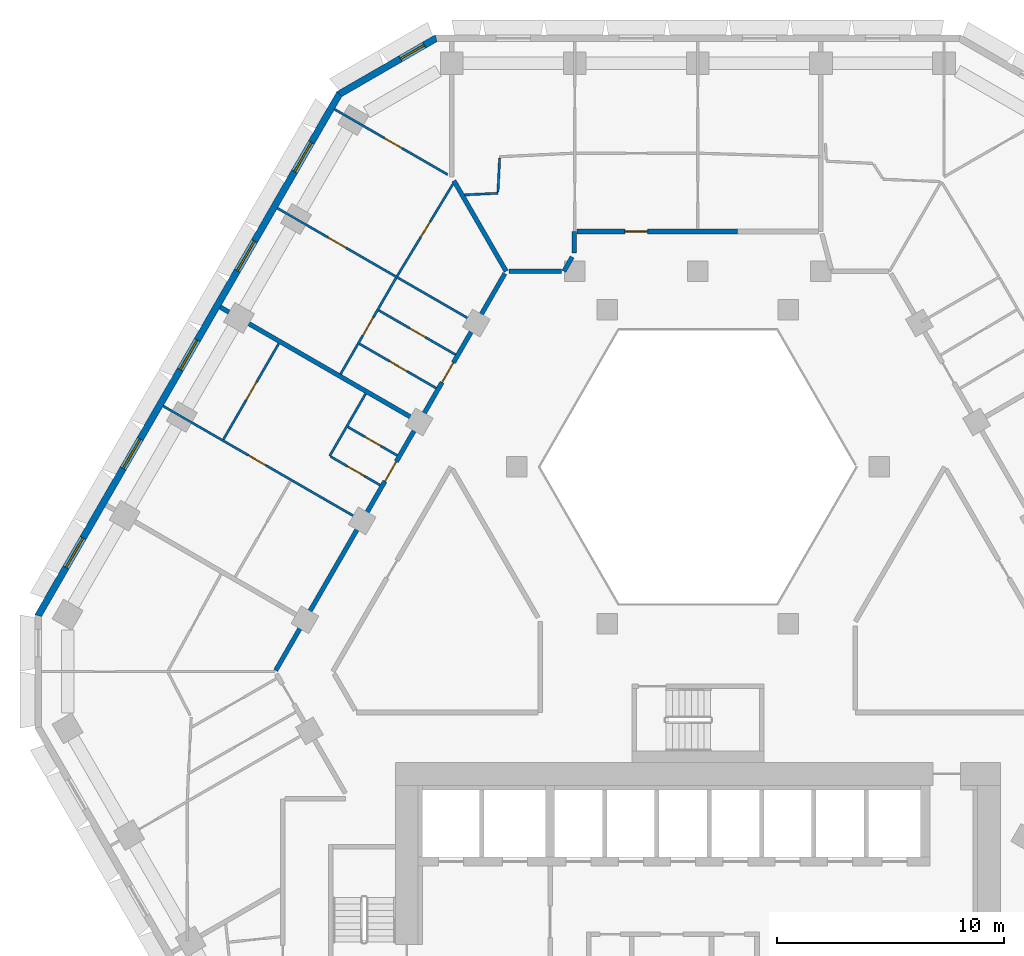
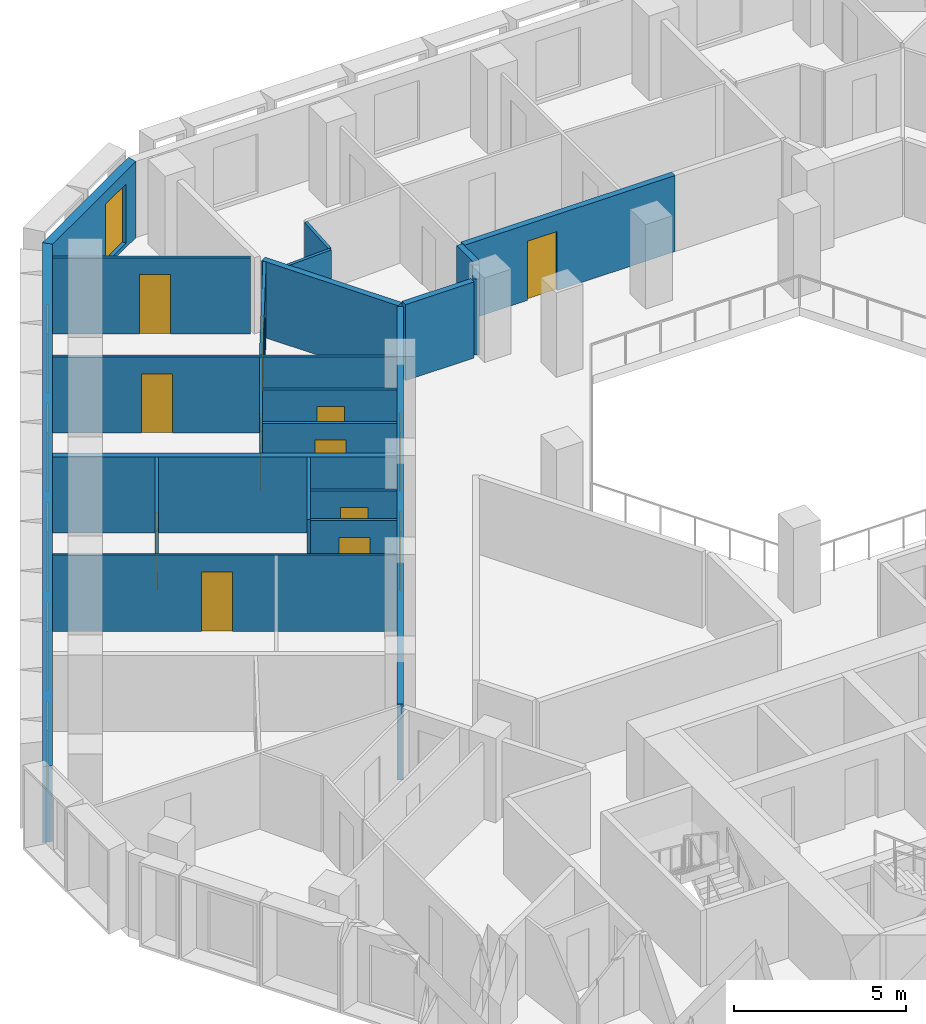
# One storey, part 8 of 16: 22 walls, 13 doors, 6 windows, 19 openings.
"""IFC4 building model written with IfcOpenShell, lengths in metres."""

from ifc_helpers import new_model, si_unit, direction, frame, frame_2d, origin, place, context, subcontext, project, spatial, polyline, rectangle, outline, extrude, material, layer, layer_set, type_object, element, fill, save


model = new_model("IFC4")

# Units and contexts
model_context = context("Model", 3, precision=1e-05, world=origin(), true_north=direction((0.0, 1.0)))
body_context = subcontext(model_context, "Body", "Model", "MODEL_VIEW")
ifc_project = project(units=[si_unit("LENGTHUNIT", "METRE"), si_unit("AREAUNIT", "SQUARE_METRE"), si_unit("VOLUMEUNIT", "CUBIC_METRE"), si_unit("PLANEANGLEUNIT", "RADIAN"), si_unit("MASSUNIT", "GRAM", prefix="KILO")], contexts=[model_context])

# Site, building, storey
site_placement = place(None, origin())
site = spatial("IfcSite", under=ifc_project, at=site_placement, CompositionType="ELEMENT")
building_placement = place(site_placement, origin())
building = spatial("IfcBuilding", under=site, at=building_placement, Name="Beryl Residences", CompositionType="ELEMENT")
storey_placement = place(building_placement, frame((0.0, 0.0, 96.0)))
storey = spatial("IfcBuildingStorey", under=building, at=storey_placement, Name="L29", CompositionType="ELEMENT", Elevation=96.0)

# Wall, opening, window
ifc_material_1 = material(Name="Composite metal panel with mineral wool insulation")
ifc_layer_1 = layer(ifc_material_1, 0.300048828125)
ifc_layer_set_1 = layer_set([ifc_layer_1], Name="ES1 pale metal composite panel wall 300 mm")
wall_type_1 = type_object("IfcWallType", Name="ES1 pale metal composite panel wall 300 mm", PredefinedType="SOLIDWALL", material=ifc_layer_set_1)
wall_1_placement = place(storey_placement, frame((-11.471923828125, 26.8701171875, 0.0), z_axis=(0.0, 0.0, 1.0), x_axis=(-0.866022959057, -0.500004234368, 0.0)))
wall_1 = element("IfcWall", 1, at=wall_1_placement, inside=storey, type_object=wall_type_1, Name="ES1 external wall L29 N-NW", PredefinedType="SOLIDWALL", context=body_context, shape_type="SweptSolid", body=[
    extrude(outline(polyline([(0.0, -0.14990234375), (5.0, -0.14990234375), (4.919677734375, 0.14990234375), (0.080322265625, 0.14990234375), (0.0, -0.14990234375)])), origin(), (0.0, 0.0, 1.0), 2.699951171875),
])
opening_1_placement = place(wall_1_placement, frame((0.64990234375, 0.0, 0.14990234375)))
opening_1 = element("IfcOpeningElement", 2, at=opening_1_placement, cuts=wall_1, Name="Opening W2", PredefinedType="OPENING", context=body_context, shape_type="SweptSolid", body=[
    extrude(rectangle(XDim=1.199951171875, YDim=2.10009765625, at=frame_2d((0.60009765625, 1.050048828125))), frame((0.0, 0.159912109375, 0.0), z_axis=(0.0, -1.0, 0.0), x_axis=(1.0, 0.0, 0.0)), (0.0, 0.0, 1.0), 0.320068359375),
])
ifc_material_2 = material(Name="Aluminium and clear glass", Category="aluminium")
window_type_1 = type_object("IfcWindowType", Name="W2 chamfer window 1200 x 2100 mm", PartitioningType="SINGLE_PANEL", PredefinedType="WINDOW", material=ifc_material_2)
window_1_placement = place(opening_1_placement, origin())
window_1 = element("IfcWindow", 3, at=window_1_placement, inside=storey, type_object=window_type_1, Name="W2 window L29 N-NW 1", OverallHeight=2.10009765625, OverallWidth=1.199951171875, PartitioningType="SINGLE_PANEL", PredefinedType="WINDOW", context=body_context, shape_type="SweptSolid", body=[
    extrude(rectangle(XDim=1.199951171875, YDim=2.10009765625, at=frame_2d((0.60009765625, 1.050048828125))), frame((0.0, 0.030029296875, 0.0), z_axis=(0.0, -1.0, 0.0), x_axis=(1.0, 0.0, 0.0)), (0.0, 0.0, 1.0), 0.06005859375),
])
fill(opening_1, window_1)

# Wall, openings, windows
wall_2_placement = place(storey_placement, frame((-15.7470703125, 24.425048828125, 0.0), z_axis=(0.0, 0.0, 1.0), x_axis=(-0.500027479704, -0.866009537788, 0.0)))
wall_2 = element("IfcWall", 4, at=wall_2_placement, inside=storey, type_object=wall_type_1, Name="ES1 external wall L29 NW", PredefinedType="SOLIDWALL", context=body_context, shape_type="SweptSolid", body=[
    extrude(outline(polyline([(0.0, -0.14990234375), (26.55859375, -0.14990234375), (26.478271484375, 0.14990234375), (0.080322265625, 0.14990234375), (0.0, -0.14990234375)])), origin(), (0.0, 0.0, 1.0), 2.699951171875),
])
opening_2_placement = place(wall_2_placement, frame((2.48291015625, 0.0, 0.14990234375)))
opening_2 = element("IfcOpeningElement", 5, at=opening_2_placement, cuts=wall_2, Name="Opening W1", PredefinedType="OPENING", context=body_context, shape_type="SweptSolid", body=[
    extrude(rectangle(XDim=1.5, YDim=2.10009765625, at=frame_2d((0.75, 1.050048828125))), frame((0.0, 0.159912109375, 0.0), z_axis=(0.0, -1.0, 0.0), x_axis=(1.0, 0.0, 0.0)), (0.0, 0.0, 1.0), 0.320068359375),
])
opening_3_placement = place(wall_2_placement, frame((7.506103515625, 0.0, 0.14990234375)))
opening_3 = element("IfcOpeningElement", 6, at=opening_3_placement, cuts=wall_2, Name="Opening W1", PredefinedType="OPENING", context=body_context, shape_type="SweptSolid", body=[
    extrude(rectangle(XDim=1.5, YDim=2.10009765625, at=frame_2d((0.75, 1.050048828125))), frame((0.0, 0.159912109375, 0.0), z_axis=(0.0, -1.0, 0.0), x_axis=(1.0, 0.0, 0.0)), (0.0, 0.0, 1.0), 0.320068359375),
])
opening_4_placement = place(wall_2_placement, frame((12.529052734375, 0.0, 0.14990234375)))
opening_4 = element("IfcOpeningElement", 7, at=opening_4_placement, cuts=wall_2, Name="Opening W1", PredefinedType="OPENING", context=body_context, shape_type="SweptSolid", body=[
    extrude(rectangle(XDim=1.5, YDim=2.10009765625, at=frame_2d((0.75, 1.050048828125))), frame((0.0, 0.159912109375, 0.0), z_axis=(0.0, -1.0, 0.0), x_axis=(1.0, 0.0, 0.0)), (0.0, 0.0, 1.0), 0.320068359375),
])
opening_5_placement = place(wall_2_placement, frame((17.552001953125, 0.0, 0.14990234375)))
opening_5 = element("IfcOpeningElement", 8, at=opening_5_placement, cuts=wall_2, Name="Opening W1", PredefinedType="OPENING", context=body_context, shape_type="SweptSolid", body=[
    extrude(rectangle(XDim=1.5, YDim=2.10009765625, at=frame_2d((0.75, 1.050048828125))), frame((0.0, 0.159912109375, 0.0), z_axis=(0.0, -1.0, 0.0), x_axis=(1.0, 0.0, 0.0)), (0.0, 0.0, 1.0), 0.320068359375),
])
opening_6_placement = place(wall_2_placement, frame((22.574951171875, 0.0, 0.14990234375)))
opening_6 = element("IfcOpeningElement", 9, at=opening_6_placement, cuts=wall_2, Name="Opening W1", PredefinedType="OPENING", context=body_context, shape_type="SweptSolid", body=[
    extrude(rectangle(XDim=1.5, YDim=2.10009765625, at=frame_2d((0.75, 1.050048828125))), frame((0.0, 0.159912109375, 0.0), z_axis=(0.0, -1.0, 0.0), x_axis=(1.0, 0.0, 0.0)), (0.0, 0.0, 1.0), 0.320068359375),
])
ifc_material_3 = material(Name="Aluminium and clear glass", Category="aluminium")
window_type_2 = type_object("IfcWindowType", Name="W1 cell window 1500 x 2100 mm", PartitioningType="SINGLE_PANEL", PredefinedType="WINDOW", material=ifc_material_3)
window_2_placement = place(opening_2_placement, origin())
window_2 = element("IfcWindow", 10, at=window_2_placement, inside=storey, type_object=window_type_2, Name="W1 window L29 NW 2", OverallHeight=2.10009765625, OverallWidth=1.5, PartitioningType="SINGLE_PANEL", PredefinedType="WINDOW", context=body_context, shape_type="SweptSolid", body=[
    extrude(rectangle(XDim=1.5, YDim=2.10009765625, at=frame_2d((0.75, 1.050048828125))), frame((0.0, 0.030029296875, 0.0), z_axis=(0.0, -1.0, 0.0), x_axis=(1.0, 0.0, 0.0)), (0.0, 0.0, 1.0), 0.06005859375),
])
fill(opening_2, window_2)
window_3_placement = place(opening_3_placement, origin())
window_3 = element("IfcWindow", 11, at=window_3_placement, inside=storey, type_object=window_type_2, Name="W1 window L29 NW 4", OverallHeight=2.10009765625, OverallWidth=1.5, PartitioningType="SINGLE_PANEL", PredefinedType="WINDOW", context=body_context, shape_type="SweptSolid", body=[
    extrude(rectangle(XDim=1.5, YDim=2.10009765625, at=frame_2d((0.75, 1.050048828125))), frame((0.0, 0.030029296875, 0.0), z_axis=(0.0, -1.0, 0.0), x_axis=(1.0, 0.0, 0.0)), (0.0, 0.0, 1.0), 0.06005859375),
])
fill(opening_3, window_3)
window_4_placement = place(opening_4_placement, origin())
window_4 = element("IfcWindow", 12, at=window_4_placement, inside=storey, type_object=window_type_2, Name="W1 window L29 NW 6", OverallHeight=2.10009765625, OverallWidth=1.5, PartitioningType="SINGLE_PANEL", PredefinedType="WINDOW", context=body_context, shape_type="SweptSolid", body=[
    extrude(rectangle(XDim=1.5, YDim=2.10009765625, at=frame_2d((0.75, 1.050048828125))), frame((0.0, 0.030029296875, 0.0), z_axis=(0.0, -1.0, 0.0), x_axis=(1.0, 0.0, 0.0)), (0.0, 0.0, 1.0), 0.06005859375),
])
fill(opening_4, window_4)
window_5_placement = place(opening_5_placement, origin())
window_5 = element("IfcWindow", 13, at=window_5_placement, inside=storey, type_object=window_type_2, Name="W1 window L29 NW 8", OverallHeight=2.10009765625, OverallWidth=1.5, PartitioningType="SINGLE_PANEL", PredefinedType="WINDOW", context=body_context, shape_type="SweptSolid", body=[
    extrude(rectangle(XDim=1.5, YDim=2.10009765625, at=frame_2d((0.75, 1.050048828125))), frame((0.0, 0.030029296875, 0.0), z_axis=(0.0, -1.0, 0.0), x_axis=(1.0, 0.0, 0.0)), (0.0, 0.0, 1.0), 0.06005859375),
])
fill(opening_5, window_5)
window_6_placement = place(opening_6_placement, origin())
window_6 = element("IfcWindow", 14, at=window_6_placement, inside=storey, type_object=window_type_2, Name="W1 window L29 NW 10", OverallHeight=2.10009765625, OverallWidth=1.5, PartitioningType="SINGLE_PANEL", PredefinedType="WINDOW", context=body_context, shape_type="SweptSolid", body=[
    extrude(rectangle(XDim=1.5, YDim=2.10009765625, at=frame_2d((0.75, 1.050048828125))), frame((0.0, 0.030029296875, 0.0), z_axis=(0.0, -1.0, 0.0), x_axis=(1.0, 0.0, 0.0)), (0.0, 0.0, 1.0), 0.06005859375),
])
fill(opening_6, window_6)

# Wall, opening, door
ifc_material_4 = material(Name="Gypsum board partition on steel studs", Category="steel")
ifc_layer_2 = layer(ifc_material_4, 0.10009765625)
ifc_layer_set_2 = layer_set([ifc_layer_2], Name="PT1 partition 100 mm gypsum board on steel studs")
wall_type_2 = type_object("IfcWallType", Name="PT1 partition 100 mm gypsum board on steel studs", PredefinedType="PARTITIONING", material=ifc_layer_set_2)
wall_3_placement = place(storey_placement, frame((-16.14599609375, 8.451904296875, 0.0), z_axis=(0.0, 0.0, 1.0), x_axis=(0.865983051302, -0.500073349477, 0.0)))
wall_3 = element("IfcWall", 15, at=wall_3_placement, inside=storey, type_object=wall_type_2, Name="Wall PT1 L29 018", PredefinedType="PARTITIONING", context=body_context, shape_type="SweptSolid", body=[
    extrude(rectangle(XDim=2.50927734375, YDim=0.10009765625, at=frame_2d((1.254638671875, 0.0))), origin(), (0.0, 0.0, 1.0), 2.699951171875),
])
opening_7_placement = place(wall_3_placement, frame((0.8291015625, 0.0, 0.0)))
opening_7 = element("IfcOpeningElement", 16, at=opening_7_placement, cuts=wall_3, Name="Opening D0945", PredefinedType="OPENING", context=body_context, shape_type="SweptSolid", body=[
    extrude(rectangle(XDim=0.89990234375, YDim=2.10009765625, at=frame_2d((0.449951171875, 1.050048828125))), frame((0.0, 0.06005859375, 0.0), z_axis=(0.0, -1.0, 0.0), x_axis=(1.0, 0.0, 0.0)), (0.0, 0.0, 1.0), 0.1201171875),
])
ifc_material_5 = material(Name="Timber door leaf", Category="wood")
door_type_1 = type_object("IfcDoorType", Name="D2 room door 900 x 2100 mm", OperationType="SINGLE_SWING_LEFT", PredefinedType="DOOR", material=ifc_material_5)
door_1_placement = place(opening_7_placement, origin())
door_1 = element("IfcDoor", 17, at=door_1_placement, inside=storey, type_object=door_type_1, Name="Door D0945 L29 001", OperationType="SINGLE_SWING_LEFT", OverallHeight=2.10009765625, OverallWidth=0.89990234375, PredefinedType="DOOR", context=body_context, shape_type="SweptSolid", body=[
    extrude(rectangle(XDim=0.89990234375, YDim=2.10009765625, at=frame_2d((0.449951171875, 1.050048828125))), frame((0.0, 0.02490234375, 0.0), z_axis=(0.0, -1.0, 0.0), x_axis=(1.0, 0.0, 0.0)), (0.0, 0.0, 1.0), 0.050048828125),
])
fill(opening_7, door_1)

wall_4_placement = place(storey_placement, frame((-23.512939453125, 10.675048828125, 0.0), z_axis=(0.0, 0.0, 1.0), x_axis=(0.866041268327, -0.499972520799, 0.0)))
wall_4 = element("IfcWall", 18, at=wall_4_placement, inside=storey, type_object=wall_type_2, Name="Wall PT1 L29 019", PredefinedType="PARTITIONING", context=body_context, shape_type="SweptSolid", body=[
    extrude(rectangle(XDim=10.00048828125, YDim=0.10009765625, at=frame_2d((5.000244140625, 0.0))), origin(), (0.0, 0.0, 1.0), 2.699951171875),
])
opening_8_placement = place(wall_4_placement, frame((4.324951171875, 0.0, 0.0)))
opening_8 = element("IfcOpeningElement", 19, at=opening_8_placement, cuts=wall_4, Name="Opening D0948", PredefinedType="OPENING", context=body_context, shape_type="SweptSolid", body=[
    extrude(rectangle(XDim=0.89990234375, YDim=2.10009765625, at=frame_2d((0.449951171875, 1.050048828125))), frame((0.0, 0.06005859375, 0.0), z_axis=(0.0, -1.0, 0.0), x_axis=(1.0, 0.0, 0.0)), (0.0, 0.0, 1.0), 0.1201171875),
])
door_2_placement = place(opening_8_placement, origin())
door_2 = element("IfcDoor", 20, at=door_2_placement, inside=storey, type_object=door_type_1, Name="Door D0948 L29 001", OperationType="SINGLE_SWING_RIGHT", OverallHeight=2.10009765625, OverallWidth=0.89990234375, PredefinedType="DOOR", context=body_context, shape_type="SweptSolid", body=[
    extrude(rectangle(XDim=0.89990234375, YDim=2.10009765625, at=frame_2d((0.449951171875, 1.050048828125))), frame((0.0, 0.02490234375, 0.0), z_axis=(0.0, -1.0, 0.0), x_axis=(1.0, 0.0, 0.0)), (0.0, 0.0, 1.0), 0.050048828125),
])
fill(opening_8, door_2)

wall_5_placement = place(storey_placement, frame((-14.884033203125, 13.412109375, 0.0), z_axis=(0.0, 0.0, 1.0), x_axis=(0.866024880635, -0.500000906121, 0.0)))
wall_5 = element("IfcWall", 21, at=wall_5_placement, inside=storey, type_object=wall_type_2, Name="Wall PT1 L29 021", PredefinedType="PARTITIONING", context=body_context, shape_type="SweptSolid", body=[
    extrude(rectangle(XDim=3.89599609375, YDim=0.10009765625, at=frame_2d((1.947998046875, 0.0))), origin(), (0.0, 0.0, 1.0), 2.699951171875),
])
opening_9_placement = place(wall_5_placement, frame((1.52294921875, 0.0, 0.0)))
opening_9 = element("IfcOpeningElement", 22, at=opening_9_placement, cuts=wall_5, Name="Opening D0939", PredefinedType="OPENING", context=body_context, shape_type="SweptSolid", body=[
    extrude(rectangle(XDim=0.89990234375, YDim=2.10009765625, at=frame_2d((0.449951171875, 1.050048828125))), frame((0.0, 0.06005859375, 0.0), z_axis=(0.0, -1.0, 0.0), x_axis=(1.0, 0.0, 0.0)), (0.0, 0.0, 1.0), 0.1201171875),
])
door_3_placement = place(opening_9_placement, origin())
door_3 = element("IfcDoor", 23, at=door_3_placement, inside=storey, type_object=door_type_1, Name="Door D0939 L29 001", OperationType="SINGLE_SWING_LEFT", OverallHeight=2.10009765625, OverallWidth=0.89990234375, PredefinedType="DOOR", context=body_context, shape_type="SweptSolid", body=[
    extrude(rectangle(XDim=0.89990234375, YDim=2.10009765625, at=frame_2d((0.449951171875, 1.050048828125))), frame((0.0, 0.02490234375, 0.0), z_axis=(0.0, -1.0, 0.0), x_axis=(1.0, 0.0, 0.0)), (0.0, 0.0, 1.0), 0.050048828125),
])
fill(opening_9, door_3)

wall_6_placement = place(storey_placement, frame((-14.033935546875, 14.884033203125, 0.0), z_axis=(0.0, 0.0, 1.0), x_axis=(0.866024880635, -0.500000906121, 0.0)))
wall_6 = element("IfcWall", 24, at=wall_6_placement, inside=storey, type_object=wall_type_2, Name="Wall PT1 L29 022", PredefinedType="PARTITIONING", context=body_context, shape_type="SweptSolid", body=[
    extrude(rectangle(XDim=3.89599609375, YDim=0.10009765625, at=frame_2d((1.947998046875, 0.0))), origin(), (0.0, 0.0, 1.0), 2.699951171875),
])
opening_10_placement = place(wall_6_placement, frame((1.572998046875, 0.0, 0.0)))
opening_10 = element("IfcOpeningElement", 25, at=opening_10_placement, cuts=wall_6, Name="Opening D0938", PredefinedType="OPENING", context=body_context, shape_type="SweptSolid", body=[
    extrude(rectangle(XDim=0.800048828125, YDim=2.10009765625, at=frame_2d((0.39990234375, 1.050048828125))), frame((0.0, 0.06005859375, 0.0), z_axis=(0.0, -1.0, 0.0), x_axis=(1.0, 0.0, 0.0)), (0.0, 0.0, 1.0), 0.1201171875),
])
ifc_material_6 = material(Name="Timber door leaf", Category="wood")
door_type_2 = type_object("IfcDoorType", Name="D3 bathroom door 800 x 2100 mm", OperationType="SINGLE_SWING_LEFT", PredefinedType="DOOR", material=ifc_material_6)
door_4_placement = place(opening_10_placement, origin())
door_4 = element("IfcDoor", 26, at=door_4_placement, inside=storey, type_object=door_type_2, Name="Door D0938 L29 001", OperationType="SINGLE_SWING_RIGHT", OverallHeight=2.10009765625, OverallWidth=0.800048828125, PredefinedType="DOOR", context=body_context, shape_type="SweptSolid", body=[
    extrude(rectangle(XDim=0.800048828125, YDim=2.10009765625, at=frame_2d((0.39990234375, 1.050048828125))), frame((0.0, 0.02490234375, 0.0), z_axis=(0.0, -1.0, 0.0), x_axis=(1.0, 0.0, 0.0)), (0.0, 0.0, 1.0), 0.050048828125),
])
fill(opening_10, door_4)

wall_7_placement = place(storey_placement, frame((-15.39404296875, 9.757080078125, 0.0), z_axis=(0.0, 0.0, 1.0), x_axis=(0.866038211682, -0.499977815414, 0.0)))
wall_7 = element("IfcWall", 27, at=wall_7_placement, inside=storey, type_object=wall_type_2, Name="Wall PT1 L29 023", PredefinedType="PARTITIONING", context=body_context, shape_type="SweptSolid", body=[
    extrude(rectangle(XDim=2.51025390625, YDim=0.10009765625, at=frame_2d((1.255126953125, 0.0))), origin(), (0.0, 0.0, 1.0), 2.699951171875),
])
opening_11_placement = place(wall_7_placement, frame((0.8798828125, 0.0, 0.0)))
opening_11 = element("IfcOpeningElement", 28, at=opening_11_placement, cuts=wall_7, Name="Opening D0946", PredefinedType="OPENING", context=body_context, shape_type="SweptSolid", body=[
    extrude(rectangle(XDim=0.800048828125, YDim=2.10009765625, at=frame_2d((0.39990234375, 1.050048828125))), frame((0.0, 0.06005859375, 0.0), z_axis=(0.0, -1.0, 0.0), x_axis=(1.0, 0.0, 0.0)), (0.0, 0.0, 1.0), 0.1201171875),
])
door_5_placement = place(opening_11_placement, origin())
door_5 = element("IfcDoor", 29, at=door_5_placement, inside=storey, type_object=door_type_2, Name="Door D0946 L29 001", OperationType="SINGLE_SWING_RIGHT", OverallHeight=2.10009765625, OverallWidth=0.800048828125, PredefinedType="DOOR", context=body_context, shape_type="SweptSolid", body=[
    extrude(rectangle(XDim=0.800048828125, YDim=2.10009765625, at=frame_2d((0.39990234375, 1.050048828125))), frame((0.0, 0.02490234375, 0.0), z_axis=(0.0, -1.0, 0.0), x_axis=(1.0, 0.0, 0.0)), (0.0, 0.0, 1.0), 0.050048828125),
])
fill(opening_11, door_5)

wall_8_placement = place(storey_placement, frame((-18.489013671875, 19.375, 0.0), z_axis=(0.0, 0.0, 1.0), x_axis=(0.866016855193, -0.500014806302, 0.0)))
wall_8 = element("IfcWall", 30, at=wall_8_placement, inside=storey, type_object=wall_type_2, Name="Wall PT1 L29 024", PredefinedType="PARTITIONING", context=body_context, shape_type="SweptSolid", body=[
    extrude(rectangle(XDim=9.999755859375, YDim=0.10009765625, at=frame_2d((5.0, 0.0))), origin(), (0.0, 0.0, 1.0), 2.699951171875),
])
opening_12_placement = place(wall_8_placement, frame((2.576904296875, 0.0, 0.0)))
opening_12 = element("IfcOpeningElement", 31, at=opening_12_placement, cuts=wall_8, Name="Opening D0941", PredefinedType="OPENING", context=body_context, shape_type="SweptSolid", body=[
    extrude(rectangle(XDim=0.89990234375, YDim=2.10009765625, at=frame_2d((0.449951171875, 1.050048828125))), frame((0.0, 0.06005859375, 0.0), z_axis=(0.0, -1.0, 0.0), x_axis=(1.0, 0.0, 0.0)), (0.0, 0.0, 1.0), 0.1201171875),
])
door_6_placement = place(opening_12_placement, origin())
door_6 = element("IfcDoor", 32, at=door_6_placement, inside=storey, type_object=door_type_1, Name="Door D0941 L29 001", OperationType="SINGLE_SWING_LEFT", OverallHeight=2.10009765625, OverallWidth=0.89990234375, PredefinedType="DOOR", context=body_context, shape_type="SweptSolid", body=[
    extrude(rectangle(XDim=0.89990234375, YDim=2.10009765625, at=frame_2d((0.449951171875, 1.050048828125))), frame((0.0, 0.02490234375, 0.0), z_axis=(0.0, -1.0, 0.0), x_axis=(1.0, 0.0, 0.0)), (0.0, 0.0, 1.0), 0.050048828125),
])
fill(opening_12, door_6)

wall_9_placement = place(storey_placement, frame((-15.97705078125, 23.72509765625, 0.0), z_axis=(0.0, 0.0, 1.0), x_axis=(0.866028566888, -0.499994521305, 0.0)))
wall_9 = element("IfcWall", 33, at=wall_9_placement, inside=storey, type_object=wall_type_2, Name="Wall PT1 L29 025", PredefinedType="PARTITIONING", context=body_context, shape_type="SweptSolid", body=[
    extrude(rectangle(XDim=5.748046875, YDim=0.10009765625, at=frame_2d((2.8740234375, 0.0))), origin(), (0.0, 0.0, 1.0), 2.699951171875),
])
opening_13_placement = place(wall_9_placement, frame((2.52392578125, 0.0, 0.0)))
opening_13 = element("IfcOpeningElement", 34, at=opening_13_placement, cuts=wall_9, Name="Opening D0942", PredefinedType="OPENING", context=body_context, shape_type="SweptSolid", body=[
    extrude(rectangle(XDim=0.89990234375, YDim=2.10009765625, at=frame_2d((0.449951171875, 1.050048828125))), frame((0.0, 0.06005859375, 0.0), z_axis=(0.0, -1.0, 0.0), x_axis=(1.0, 0.0, 0.0)), (0.0, 0.0, 1.0), 0.1201171875),
])
door_7_placement = place(opening_13_placement, origin())
door_7 = element("IfcDoor", 35, at=door_7_placement, inside=storey, type_object=door_type_1, Name="Door D0942 L29 001", OperationType="SINGLE_SWING_RIGHT", OverallHeight=2.10009765625, OverallWidth=0.89990234375, PredefinedType="DOOR", context=body_context, shape_type="SweptSolid", body=[
    extrude(rectangle(XDim=0.89990234375, YDim=2.10009765625, at=frame_2d((0.449951171875, 1.050048828125))), frame((0.0, 0.02490234375, 0.0), z_axis=(0.0, -1.0, 0.0), x_axis=(1.0, 0.0, 0.0)), (0.0, 0.0, 1.0), 0.050048828125),
])
fill(opening_13, door_7)

wall_10_placement = place(storey_placement, frame((-13.220947265625, 16.39111328125, 0.0), z_axis=(0.0, 0.0, 1.0), x_axis=(0.518164725284, 0.855280841286, 0.0)))
wall_10 = element("IfcWall", 36, at=wall_10_placement, inside=storey, type_object=wall_type_2, Name="Wall PT1 L29 032", PredefinedType="PARTITIONING", context=body_context, shape_type="SweptSolid", body=[
    extrude(rectangle(XDim=4.739990234375, YDim=0.10009765625, at=frame_2d((2.3701171875, 0.0))), origin(), (0.0, 0.0, 1.0), 2.699951171875),
])
opening_14_placement = place(wall_10_placement, frame((2.001953125, 0.0, 0.0)))
opening_14 = element("IfcOpeningElement", 37, at=opening_14_placement, cuts=wall_10, Name="Opening D0943", PredefinedType="OPENING", context=body_context, shape_type="SweptSolid", body=[
    extrude(rectangle(XDim=0.800048828125, YDim=2.10009765625, at=frame_2d((0.39990234375, 1.050048828125))), frame((0.0, 0.06005859375, 0.0), z_axis=(0.0, -1.0, 0.0), x_axis=(1.0, 0.0, 0.0)), (0.0, 0.0, 1.0), 0.1201171875),
])
door_8_placement = place(opening_14_placement, origin())
door_8 = element("IfcDoor", 38, at=door_8_placement, inside=storey, type_object=door_type_2, Name="Door D0943 L29 001", OperationType="SINGLE_SWING_LEFT", OverallHeight=2.10009765625, OverallWidth=0.800048828125, PredefinedType="DOOR", context=body_context, shape_type="SweptSolid", body=[
    extrude(rectangle(XDim=0.800048828125, YDim=2.10009765625, at=frame_2d((0.39990234375, 1.050048828125))), frame((0.0, 0.02490234375, 0.0), z_axis=(0.0, -1.0, 0.0), x_axis=(1.0, 0.0, 0.0)), (0.0, 0.0, 1.0), 0.050048828125),
])
fill(opening_14, door_8)

# Wall
wall_11_placement = place(storey_placement, frame((-16.18994140625, 8.47802734375, 0.0), z_axis=(0.0, 0.0, 1.0), x_axis=(0.500156715107, 0.865934905367, 0.0)))
element("IfcWall", 39, at=wall_11_placement, inside=storey, type_object=wall_type_2, Name="Wall PT1 L29 036", PredefinedType="PARTITIONING", context=body_context, shape_type="SweptSolid", body=[
    extrude(rectangle(XDim=3.1630859375, YDim=0.10009765625, at=frame_2d((1.58154296875, 0.0))), origin(), (0.0, 0.0, 1.0), 2.699951171875),
])

# Wall, opening, door
wall_12_placement = place(storey_placement, frame((-15.7080078125, 12.0849609375, 0.0), z_axis=(0.0, 0.0, 1.0), x_axis=(0.499943653708, 0.866057932887, 0.0)))
wall_12 = element("IfcWall", 40, at=wall_12_placement, inside=storey, type_object=wall_type_2, Name="Wall PT1 L29 038", PredefinedType="PARTITIONING", context=body_context, shape_type="SweptSolid", body=[
    extrude(rectangle(XDim=4.87255859375, YDim=0.10009765625, at=frame_2d((2.436279296875, 0.0))), origin(), (0.0, 0.0, 1.0), 2.699951171875),
])
opening_15_placement = place(wall_12_placement, frame((1.9619140625, 0.0, 0.0)))
opening_15 = element("IfcOpeningElement", 41, at=opening_15_placement, cuts=wall_12, Name="Opening D0940", PredefinedType="OPENING", context=body_context, shape_type="SweptSolid", body=[
    extrude(rectangle(XDim=0.89990234375, YDim=2.10009765625, at=frame_2d((0.449951171875, 1.050048828125))), frame((0.0, 0.06005859375, 0.0), z_axis=(0.0, -1.0, 0.0), x_axis=(1.0, 0.0, 0.0)), (0.0, 0.0, 1.0), 0.1201171875),
])
door_9_placement = place(opening_15_placement, origin())
door_9 = element("IfcDoor", 42, at=door_9_placement, inside=storey, type_object=door_type_1, Name="Door D0940 L29 001", OperationType="SINGLE_SWING_RIGHT", OverallHeight=2.10009765625, OverallWidth=0.89990234375, PredefinedType="DOOR", context=body_context, shape_type="SweptSolid", body=[
    extrude(rectangle(XDim=0.89990234375, YDim=2.10009765625, at=frame_2d((0.449951171875, 1.050048828125))), frame((0.0, 0.02490234375, 0.0), z_axis=(0.0, -1.0, 0.0), x_axis=(1.0, 0.0, 0.0)), (0.0, 0.0, 1.0), 0.050048828125),
])
fill(opening_15, door_9)

wall_13_placement = place(storey_placement, frame((-20.864013671875, 9.202880859375, 0.0), z_axis=(0.0, 0.0, 1.0), x_axis=(0.500072260509, 0.86598368014, 0.0)))
wall_13 = element("IfcWall", 43, at=wall_13_placement, inside=storey, type_object=wall_type_2, Name="Wall PT1 L29 039", PredefinedType="PARTITIONING", context=body_context, shape_type="SweptSolid", body=[
    extrude(rectangle(XDim=4.873291015625, YDim=0.10009765625, at=frame_2d((2.4365234375, 0.0))), origin(), (0.0, 0.0, 1.0), 2.699951171875),
])
opening_16_placement = place(wall_13_placement, frame((2.011962890625, 0.0, 0.0)))
opening_16 = element("IfcOpeningElement", 44, at=opening_16_placement, cuts=wall_13, Name="Opening D0947", PredefinedType="OPENING", context=body_context, shape_type="SweptSolid", body=[
    extrude(rectangle(XDim=0.89990234375, YDim=2.10009765625, at=frame_2d((0.449951171875, 1.050048828125))), frame((0.0, 0.06005859375, 0.0), z_axis=(0.0, -1.0, 0.0), x_axis=(1.0, 0.0, 0.0)), (0.0, 0.0, 1.0), 0.1201171875),
])
door_10_placement = place(opening_16_placement, origin())
door_10 = element("IfcDoor", 45, at=door_10_placement, inside=storey, type_object=door_type_1, Name="Door D0947 L29 001", OperationType="SINGLE_SWING_LEFT", OverallHeight=2.10009765625, OverallWidth=0.89990234375, PredefinedType="DOOR", context=body_context, shape_type="SweptSolid", body=[
    extrude(rectangle(XDim=0.89990234375, YDim=2.10009765625, at=frame_2d((0.449951171875, 1.050048828125))), frame((0.0, 0.02490234375, 0.0), z_axis=(0.0, -1.0, 0.0), x_axis=(1.0, 0.0, 0.0)), (0.0, 0.0, 1.0), 0.050048828125),
])
fill(opening_16, door_10)

# Walls
wall_14_placement = place(storey_placement, frame((-8.7900390625, 20.0810546875, 0.0), z_axis=(0.0, 0.0, 1.0), x_axis=(0.049097109821, 0.998794009697, 0.0)))
element("IfcWall", 46, at=wall_14_placement, inside=storey, type_object=wall_type_2, Name="Wall PT1 L29 043", PredefinedType="PARTITIONING", context=body_context, shape_type="SweptSolid", body=[
    extrude(rectangle(XDim=1.506591796875, YDim=0.10009765625, at=frame_2d((0.75341796875, 0.0))), origin(), (0.0, 0.0, 1.0), 2.699951171875),
])
wall_15_placement = place(storey_placement, frame((-10.25390625, 19.9609375, 0.0), z_axis=(0.0, 0.0, 1.0), x_axis=(0.998851840647, 0.047906162812, 0.0)))
element("IfcWall", 47, at=wall_15_placement, inside=storey, type_object=wall_type_2, Name="Wall PT1 L29 057", PredefinedType="PARTITIONING", context=body_context, shape_type="SweptSolid", body=[
    extrude(rectangle(XDim=1.462646484375, YDim=0.10009765625, at=frame_2d((0.7314453125, 0.0))), origin(), (0.0, 0.0, 1.0), 2.699951171875),
])
ifc_material_7 = material(Name="Acoustic double stud gypsum board wall")
ifc_layer_3 = layer(ifc_material_7, 0.199951171875)
ifc_layer_set_3 = layer_set([ifc_layer_3], Name="PT3 party wall 200 mm acoustic double stud")
wall_type_3 = type_object("IfcWallType", Name="PT3 party wall 200 mm acoustic double stud", PredefinedType="PARTITIONING", material=ifc_layer_set_3)
wall_16_placement = place(storey_placement, frame((-10.72705078125, 20.580078125, 0.0), z_axis=(0.0, 0.0, 1.0), x_axis=(0.500041272028, -0.866001574057, 0.0)))
element("IfcWall", 48, at=wall_16_placement, inside=storey, type_object=wall_type_3, Name="Wall PT3 L29 001", PredefinedType="PARTITIONING", context=body_context, shape_type="SweptSolid", body=[
    extrude(rectangle(XDim=4.595703125, YDim=0.199951171875, at=frame_2d((2.2978515625, 0.0))), origin(), (0.0, 0.0, 1.0), 2.699951171875),
])
wall_17_placement = place(storey_placement, frame((-21.0009765625, 15.02490234375, 0.0), z_axis=(0.0, 0.0, 1.0), x_axis=(0.866016855193, -0.500014806302, 0.0)))
element("IfcWall", 49, at=wall_17_placement, inside=storey, type_object=wall_type_3, Name="Wall PT3 L29 005", PredefinedType="PARTITIONING", context=body_context, shape_type="SweptSolid", body=[
    extrude(rectangle(XDim=9.999755859375, YDim=0.199951171875, at=frame_2d((5.0, 0.0))), origin(), (0.0, 0.0, 1.0), 2.699951171875),
])
ifc_material_8 = material(Name="Double stud gypsum board wall")
ifc_layer_4 = layer(ifc_material_8, 0.199951171875)
ifc_layer_set_4 = layer_set([ifc_layer_4], Name="PT4 corridor wall 200 mm double stud")
wall_type_4 = type_object("IfcWallType", Name="PT4 corridor wall 200 mm double stud", PredefinedType="PARTITIONING", material=ifc_layer_set_4)
wall_18_placement = place(storey_placement, frame((-8.31396484375, 16.60009765625, 0.0), z_axis=(0.0, 0.0, 1.0), x_axis=(1.0, 0.0, 0.0)))
element("IfcWall", 50, at=wall_18_placement, inside=storey, type_object=wall_type_4, Name="Wall PT4 L29 019", PredefinedType="PARTITIONING", context=body_context, shape_type="SweptSolid", body=[
    extrude(rectangle(XDim=2.30908203125, YDim=0.199951171875, at=frame_2d((1.154541015625, 0.0))), origin(), (0.0, 0.0, 1.0), 2.699951171875),
])

# Wall, opening, door
wall_19_placement = place(storey_placement, frame((-5.31396484375, 18.35009765625, 0.0), z_axis=(0.0, 0.0, 1.0), x_axis=(1.0, 0.0, 0.0)))
wall_19 = element("IfcWall", 51, at=wall_19_placement, inside=storey, type_object=wall_type_4, Name="Wall PT4 L29 022", PredefinedType="PARTITIONING", context=body_context, shape_type="SweptSolid", body=[
    extrude(rectangle(XDim=7.06298828125, YDim=0.199951171875, at=frame_2d((3.531494140625, 0.0))), origin(), (0.0, 0.0, 1.0), 2.699951171875),
])
opening_17_placement = place(wall_19_placement, frame((2.10595703125, 0.0, 0.0)))
opening_17 = element("IfcOpeningElement", 52, at=opening_17_placement, cuts=wall_19, Name="Opening D0931", PredefinedType="OPENING", context=body_context, shape_type="SweptSolid", body=[
    extrude(rectangle(XDim=1.0, YDim=2.10009765625, at=frame_2d((0.5, 1.050048828125))), frame((0.0, 0.10986328125, 0.0), z_axis=(0.0, -1.0, 0.0), x_axis=(1.0, 0.0, 0.0)), (0.0, 0.0, 1.0), 0.219970703125),
])
ifc_material_9 = material(Name="Timber door leaf", Category="wood")
door_type_3 = type_object("IfcDoorType", Name="D1 flat entrance door 1000 x 2100 mm", OperationType="SINGLE_SWING_LEFT", PredefinedType="DOOR", material=ifc_material_9)
door_11_placement = place(opening_17_placement, origin())
door_11 = element("IfcDoor", 53, at=door_11_placement, inside=storey, type_object=door_type_3, Name="Door D0931 L29 001", OperationType="SINGLE_SWING_LEFT", OverallHeight=2.10009765625, OverallWidth=1.0, PredefinedType="DOOR", context=body_context, shape_type="SweptSolid", body=[
    extrude(rectangle(XDim=1.0, YDim=2.10009765625, at=frame_2d((0.5, 1.050048828125))), frame((0.0, 0.02490234375, 0.0), z_axis=(0.0, -1.0, 0.0), x_axis=(1.0, 0.0, 0.0)), (0.0, 0.0, 1.0), 0.050048828125),
])
fill(opening_17, door_11)

# Wall
wall_20_placement = place(storey_placement, frame((-5.888916015625, 16.60009765625, 0.0), z_axis=(0.0, 0.0, 1.0), x_axis=(0.499839240638, 0.866118198353, 0.0)))
element("IfcWall", 54, at=wall_20_placement, inside=storey, type_object=wall_type_4, Name="Wall PT4 L29 027", PredefinedType="PARTITIONING", context=body_context, shape_type="SweptSolid", body=[
    extrude(rectangle(XDim=0.723876953125, YDim=0.199951171875, at=frame_2d((0.36181640625, 0.0))), origin(), (0.0, 0.0, 1.0), 2.699951171875),
])

# Wall, openings, doors
wall_21_placement = place(storey_placement, frame((-18.56201171875, -0.950927734375, 0.0), z_axis=(0.0, 0.0, 1.0), x_axis=(0.499987097491, 0.866032852923, 0.0)))
wall_21 = element("IfcWall", 55, at=wall_21_placement, inside=storey, type_object=wall_type_4, Name="Wall PT4 L29 028", PredefinedType="PARTITIONING", context=body_context, shape_type="SweptSolid", body=[
    extrude(rectangle(XDim=20.150390625, YDim=0.199951171875, at=frame_2d((10.0751953125, 0.0))), origin(), (0.0, 0.0, 1.0), 2.699951171875),
])
opening_18_placement = place(wall_21_placement, frame((14.626953125, 0.0, 0.0)))
opening_18 = element("IfcOpeningElement", 56, at=opening_18_placement, cuts=wall_21, Name="Opening D0937", PredefinedType="OPENING", context=body_context, shape_type="SweptSolid", body=[
    extrude(rectangle(XDim=1.0, YDim=2.10009765625, at=frame_2d((0.5, 1.050048828125))), frame((0.0, 0.10986328125, 0.0), z_axis=(0.0, -1.0, 0.0), x_axis=(1.0, 0.0, 0.0)), (0.0, 0.0, 1.0), 0.219970703125),
])
opening_19_placement = place(wall_21_placement, frame((9.60400390625, 0.0, 0.0)))
opening_19 = element("IfcOpeningElement", 57, at=opening_19_placement, cuts=wall_21, Name="Opening D0944", PredefinedType="OPENING", context=body_context, shape_type="SweptSolid", body=[
    extrude(rectangle(XDim=1.0, YDim=2.10009765625, at=frame_2d((0.5, 1.050048828125))), frame((0.0, 0.10986328125, 0.0), z_axis=(0.0, -1.0, 0.0), x_axis=(1.0, 0.0, 0.0)), (0.0, 0.0, 1.0), 0.219970703125),
])
door_12_placement = place(opening_18_placement, origin())
door_12 = element("IfcDoor", 58, at=door_12_placement, inside=storey, type_object=door_type_3, Name="Door D0937 L29 001", OperationType="SINGLE_SWING_LEFT", OverallHeight=2.10009765625, OverallWidth=1.0, PredefinedType="DOOR", context=body_context, shape_type="SweptSolid", body=[
    extrude(rectangle(XDim=1.0, YDim=2.10009765625, at=frame_2d((0.5, 1.050048828125))), frame((0.0, 0.02490234375, 0.0), z_axis=(0.0, -1.0, 0.0), x_axis=(1.0, 0.0, 0.0)), (0.0, 0.0, 1.0), 0.050048828125),
])
fill(opening_18, door_12)
door_13_placement = place(opening_19_placement, origin())
door_13 = element("IfcDoor", 59, at=door_13_placement, inside=storey, type_object=door_type_3, Name="Door D0944 L29 001", OperationType="SINGLE_SWING_RIGHT", OverallHeight=2.10009765625, OverallWidth=1.0, PredefinedType="DOOR", context=body_context, shape_type="SweptSolid", body=[
    extrude(rectangle(XDim=1.0, YDim=2.10009765625, at=frame_2d((0.5, 1.050048828125))), frame((0.0, 0.02490234375, 0.0), z_axis=(0.0, -1.0, 0.0), x_axis=(1.0, 0.0, 0.0)), (0.0, 0.0, 1.0), 0.050048828125),
])
fill(opening_19, door_13)

# Wall
wall_22_placement = place(storey_placement, frame((-5.427001953125, 17.39990234375, 0.0), z_axis=(0.0, 0.0, 1.0), x_axis=(0.0, 1.0, 0.0)))
element("IfcWall", 60, at=wall_22_placement, inside=storey, type_object=wall_type_4, Name="Wall PT4 L29 032", PredefinedType="PARTITIONING", context=body_context, shape_type="SweptSolid", body=[
    extrude(rectangle(XDim=0.9501953125, YDim=0.199951171875, at=frame_2d((0.47509765625, 0.0))), origin(), (0.0, 0.0, 1.0), 2.699951171875),
])

save(model, "model.ifc")
